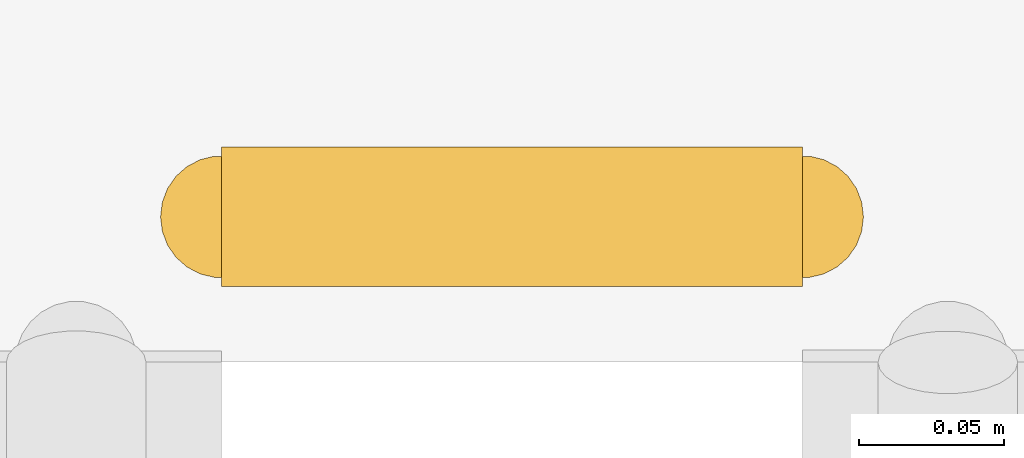
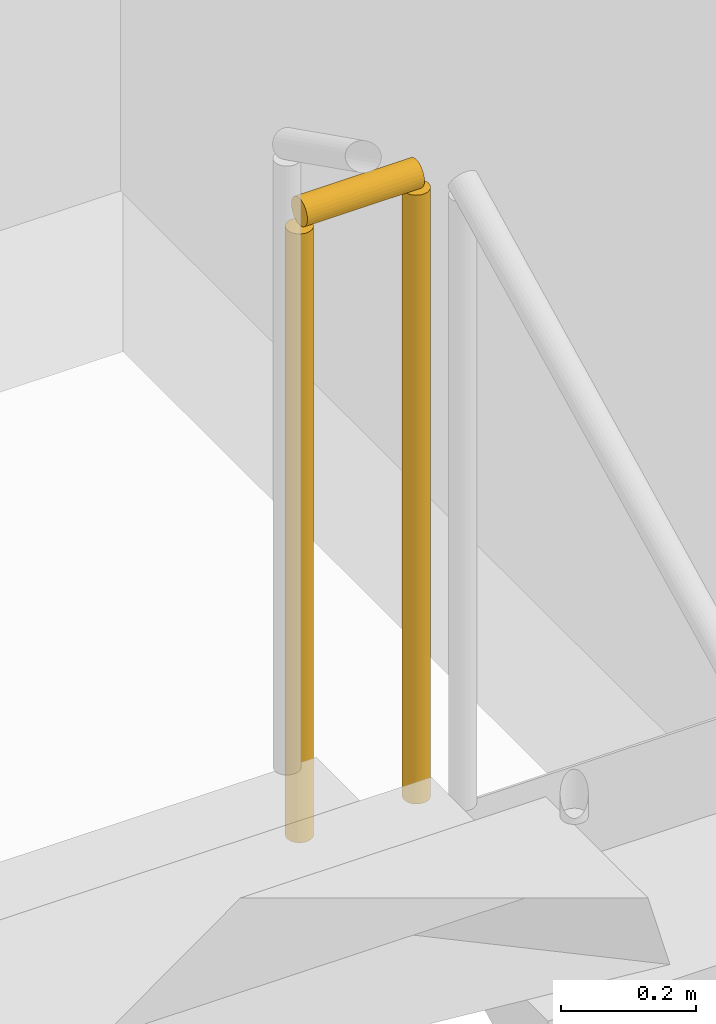
# One storey, part 30 of 31: 1 railing.
"""IFC4 building model written with IfcOpenShell, lengths in metres."""

from ifc_helpers import new_model, si_unit, direction, frame, origin, origin_2d, place, context, subcontext, project, spatial, circle, extrude, material, type_object, element, save


model = new_model("IFC4")

# Units and contexts
model_context = context("Model", 3, precision=1e-05, world=origin(), true_north=direction((0.0, 1.0)))
body_context = subcontext(model_context, "Body", "Model", "MODEL_VIEW")
ifc_project = project(units=[si_unit("LENGTHUNIT", "METRE"), si_unit("AREAUNIT", "SQUARE_METRE"), si_unit("VOLUMEUNIT", "CUBIC_METRE"), si_unit("PLANEANGLEUNIT", "RADIAN"), si_unit("MASSUNIT", "GRAM", prefix="KILO")], contexts=[model_context])

# Site, building, storey
site_placement = place(None, origin())
site = spatial("IfcSite", under=ifc_project, at=site_placement, CompositionType="ELEMENT")
building_placement = place(site_placement, origin())
building = spatial("IfcBuilding", under=site, at=building_placement, Name="Nahalor Promenade Grand Hotel", CompositionType="ELEMENT")
storey_placement = place(building_placement, frame((0.0, 0.0, 281.300048828125)))
storey = spatial("IfcBuildingStorey", under=building, at=storey_placement, Name="L72", CompositionType="ELEMENT", Elevation=281.300048828125)

# Railing
ifc_material = material(Name="Steel S355JR", Category="steel")
railing_type = type_object("IfcRailingType", Name="Steel Stair Guardrail 1150 mm", PredefinedType="GUARDRAIL", material=ifc_material)
railing_placement = place(storey_placement, frame((5.699951171875, 11.550048828125, 1.875)))
element("IfcRailing", 1, at=railing_placement, inside=storey, type_object=railing_type, Name="L72 ST1 stair guard 2", PredefinedType="GUARDRAIL", context=body_context, shape_type="SweptSolid", body=[
    extrude(circle(Radius=0.024048, at=origin_2d()), frame((0.0, 0.0, 1.1259765625), z_axis=(-1.0, 0.0, 0.0), x_axis=(0.0, -1.0, 0.0)), (0.0, 0.0, 1.0), 0.199951171875),
    extrude(circle(Radius=0.020996, at=origin_2d()), origin(), (0.0, 0.0, 1.0), 1.099853515625),
    extrude(circle(Radius=0.020996, at=origin_2d()), frame((-0.199951171875, 0.0, 0.0)), (0.0, 0.0, 1.0), 1.099853515625),
])

save(model, "model.ifc")
